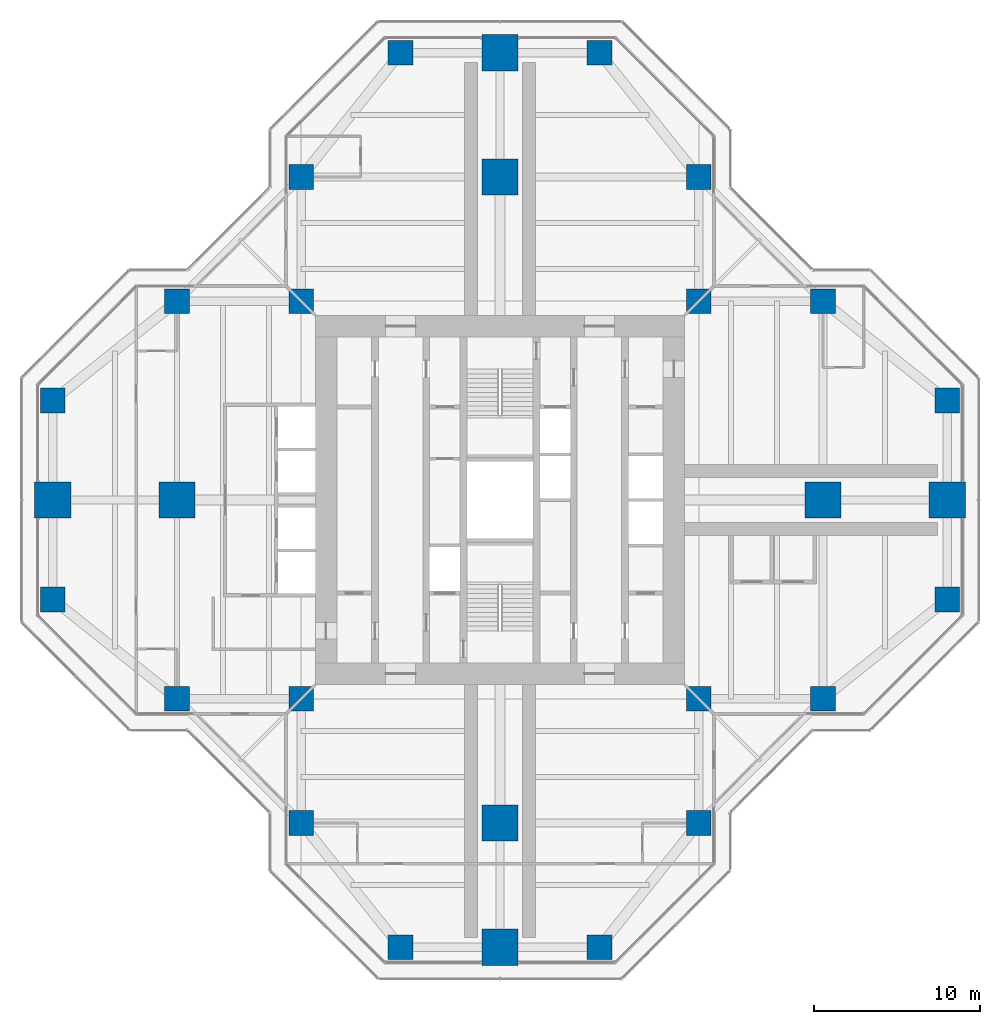
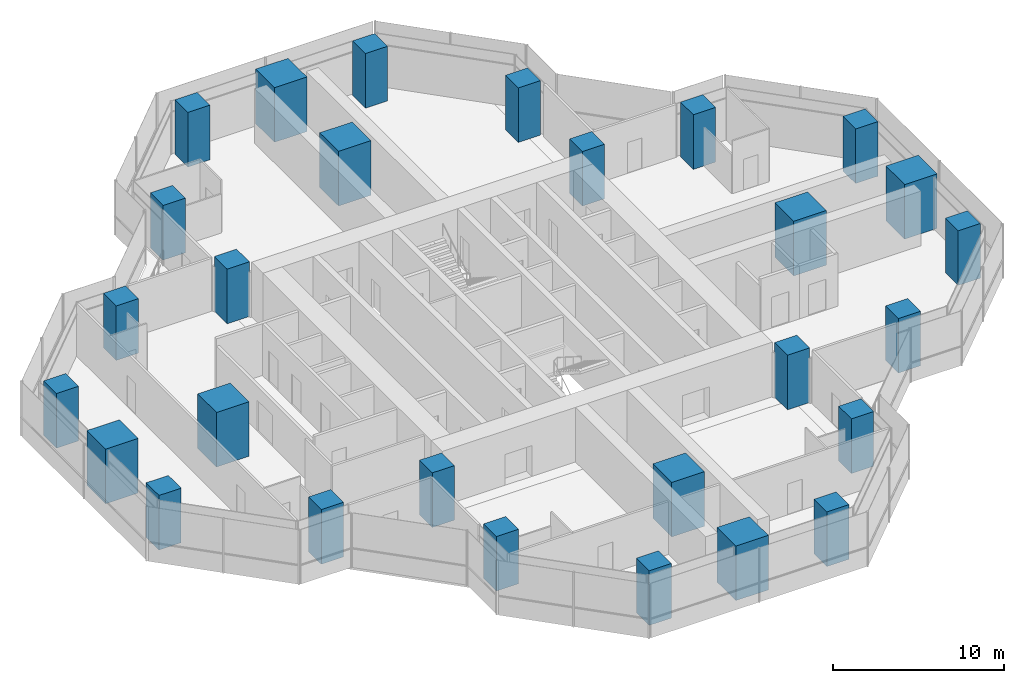
# One storey, part 1 of 17: 28 columns.
"""IFC4 building model written with IfcOpenShell, lengths in metres."""

from ifc_helpers import new_model, si_unit, direction, frame, origin, origin_2d, place, context, subcontext, project, spatial, rectangle, extrude, material, material_profile, profile_set, type_object, element, save


model = new_model("IFC4")

# Units and contexts
model_context = context("Model", 3, precision=1e-05, world=origin(), true_north=direction((0.0, 1.0)))
body_context = subcontext(model_context, "Body", "Model", "MODEL_VIEW")
ifc_project = project(units=[si_unit("LENGTHUNIT", "METRE"), si_unit("AREAUNIT", "SQUARE_METRE"), si_unit("VOLUMEUNIT", "CUBIC_METRE"), si_unit("PLANEANGLEUNIT", "RADIAN"), si_unit("MASSUNIT", "GRAM", prefix="KILO")], contexts=[model_context])

# Site, building, storey
site_placement = place(None, origin())
site = spatial("IfcSite", under=ifc_project, at=site_placement, CompositionType="ELEMENT")
building_placement = place(site_placement, origin())
building = spatial("IfcBuilding", under=site, at=building_placement, Name="Mizan Broadcast Tower", CompositionType="ELEMENT")
storey_placement = place(building_placement, frame((0.0, 0.0, 243.89990234375)))
storey = spatial("IfcBuildingStorey", under=building, at=storey_placement, Name="L57", CompositionType="ELEMENT", Elevation=243.89990234375)

# Columns
ifc_material_1 = material(Name="Concrete C70/85", Category="concrete")
ifc_material_profile_1 = material_profile(ifc_material_1, rectangle(XDim=1.5, YDim=1.5, at=origin_2d()), Name="RC 1500x1500")
ifc_profile_set_1 = profile_set([ifc_material_profile_1], Name="Concrete C70/85")
column_type_1 = type_object("IfcColumnType", Name="RC COLUMN 1500x1500 C70/85", PredefinedType="COLUMN", material=ifc_profile_set_1)
for number, where, z_axis, x_axis, name in (
    (1, (-6.0, -27.0, 0.0), (0.0, 0.0, 1.0), (1.0, 0.0, 0.0), "Column 5/B L57"),
    (2, (6.0, -27.0, 0.0), (0.0, 0.0, 1.0), (1.0, 0.0, 0.0), "Column 7/B L57"),
    (3, (-12.0, -19.5, 0.0), (0.0, 0.0, 1.0), (1.0, 0.0, 0.0), "Column 4/C L57"),
    (4, (12.0, -19.5, 0.0), (0.0, 0.0, 1.0), (1.0, 0.0, 0.0), "Column 8/C L57"),
    (5, (-19.5, -12.0, 0.0), (0.0, 0.0, 1.0), (1.0, 0.0, 0.0), "Column 3/D L57"),
    (6, (-12.0, -12.0, 0.0), (0.0, 0.0, 1.0), (1.0, 0.0, 0.0), "Column 4/D L57"),
    (7, (12.0, -12.0, 0.0), (0.0, 0.0, 1.0), (1.0, 0.0, 0.0), "Column 8/D L57"),
    (8, (19.5, -12.0, 0.0), (0.0, 0.0, 1.0), (1.0, 0.0, 0.0), "Column 9/D L57"),
    (9, (-27.0, -6.0, 0.0), (0.0, 0.0, 1.0), (1.0, 0.0, 0.0), "Column 2/E L57"),
    (10, (27.0, -6.0, 0.0), (0.0, 0.0, 1.0), (1.0, 0.0, 0.0), "Column 10/E L57"),
    (11, (-27.0, 6.0, 0.0), (0.0, 0.0, 1.0), (1.0, 0.0, 0.0), "Column 2/G L57"),
    (12, (27.0, 6.0, 0.0), (0.0, 0.0, 1.0), (1.0, 0.0, 0.0), "Column 10/G L57"),
    (13, (-19.5, 12.0, 0.0), (0.0, 0.0, 1.0), (1.0, 0.0, 0.0), "Column 3/H L57"),
    (14, (-12.0, 12.0, 0.0), (0.0, 0.0, 1.0), (1.0, 0.0, 0.0), "Column 4/H L57"),
    (15, (12.0, 12.0, 0.0), (0.0, 0.0, 1.0), (1.0, 0.0, 0.0), "Column 8/H L57"),
    (16, (19.5, 12.0, 0.0), (0.0, 0.0, 1.0), (1.0, 0.0, 0.0), "Column 9/H L57"),
    (17, (-12.0, 19.5, 0.0), (0.0, 0.0, 1.0), (1.0, 0.0, 0.0), "Column 4/J L57"),
    (18, (12.0, 19.5, 0.0), (0.0, 0.0, 1.0), (1.0, 0.0, 0.0), "Column 8/J L57"),
    (19, (-6.0, 27.0, 0.0), (0.0, 0.0, 1.0), (1.0, 0.0, 0.0), "Column 5/K L57"),
    (20, (6.0, 27.0, 0.0), (0.0, 0.0, 1.0), (1.0, 0.0, 0.0), "Column 7/K L57"),
):
    element("IfcColumn", number, at=place(storey_placement, frame(where, z_axis=z_axis, x_axis=x_axis)), inside=storey, type_object=column_type_1, Name=name, PredefinedType="COLUMN", context=body_context, shape_type="SweptSolid", body=[
        extrude(rectangle(XDim=1.5, YDim=1.5, at=origin_2d()), origin(), (0.0, 0.0, 1.0), 3.900146484375),
    ])
ifc_material_2 = material(Name="Concrete C70/85", Category="concrete")
ifc_material_profile_2 = material_profile(ifc_material_2, rectangle(XDim=2.199951171875, YDim=2.199951171875, at=origin_2d()), Name="RC 2200x2200")
ifc_profile_set_2 = profile_set([ifc_material_profile_2], Name="Concrete C70/85")
column_type_2 = type_object("IfcColumnType", Name="RC COLUMN 2200x2200 C70/85", PredefinedType="COLUMN", material=ifc_profile_set_2)
for number, where, z_axis, x_axis, name in (
    (21, (0.0, -27.0, 0.0), (0.0, 0.0, 1.0), (1.0, 0.0, 0.0), "Column 6/B L57"),
    (22, (0.0, -19.5, 0.0), (0.0, 0.0, 1.0), (1.0, 0.0, 0.0), "Column 6/C L57"),
    (23, (-27.0, 0.0, 0.0), (0.0, 0.0, 1.0), (1.0, 0.0, 0.0), "Column 2/F L57"),
    (24, (-19.5, 0.0, 0.0), (0.0, 0.0, 1.0), (1.0, 0.0, 0.0), "Column 3/F L57"),
    (25, (19.5, 0.0, 0.0), (0.0, 0.0, 1.0), (1.0, 0.0, 0.0), "Column 9/F L57"),
    (26, (27.0, 0.0, 0.0), (0.0, 0.0, 1.0), (1.0, 0.0, 0.0), "Column 10/F L57"),
    (27, (0.0, 19.5, 0.0), (0.0, 0.0, 1.0), (1.0, 0.0, 0.0), "Column 6/J L57"),
    (28, (0.0, 27.0, 0.0), (0.0, 0.0, 1.0), (1.0, 0.0, 0.0), "Column 6/K L57"),
):
    element("IfcColumn", number, at=place(storey_placement, frame(where, z_axis=z_axis, x_axis=x_axis)), inside=storey, type_object=column_type_2, Name=name, PredefinedType="COLUMN", context=body_context, shape_type="SweptSolid", body=[
        extrude(rectangle(XDim=2.199951171875, YDim=2.199951171875, at=origin_2d()), origin(), (0.0, 0.0, 1.0), 3.900146484375),
    ])

save(model, "model.ifc")
